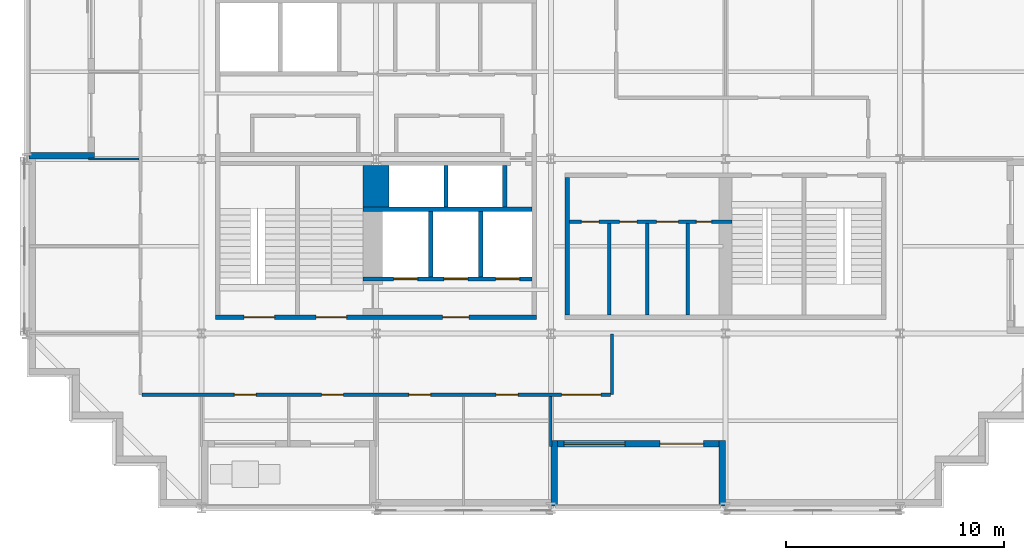
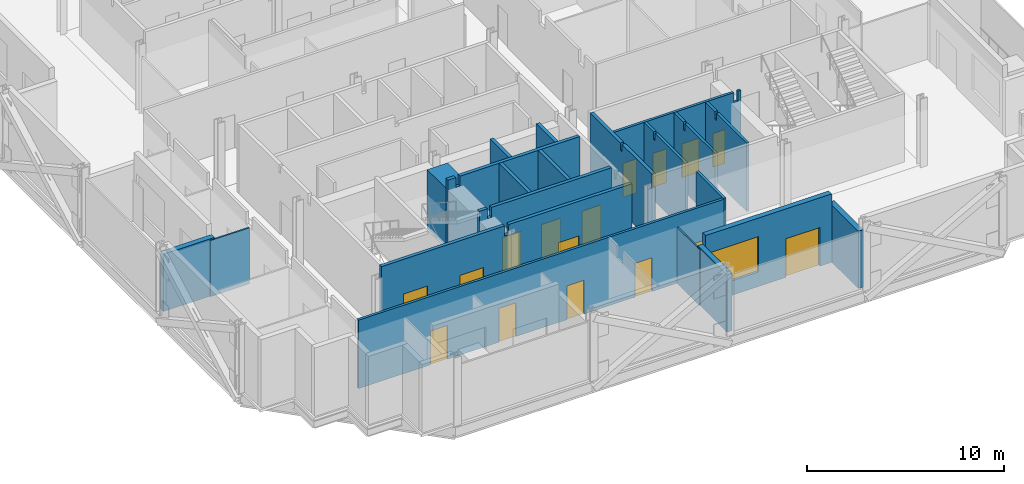
# One storey, part 6 of 15: 21 walls, 16 doors, 1 window, 17 openings.
"""IFC4 building model written with IfcOpenShell, lengths in metres."""

from ifc_helpers import new_model, si_unit, direction, frame, frame_2d, origin, place, context, subcontext, project, spatial, polyline, rectangle, outline, extrude, material, layer, layer_set, type_object, element, fill, save


model = new_model("IFC4")

# Units and contexts
model_context = context("Model", 3, precision=1e-05, world=origin(), true_north=direction((0.0, 1.0)))
body_context = subcontext(model_context, "Body", "Model", "MODEL_VIEW")
ifc_project = project(units=[si_unit("LENGTHUNIT", "METRE"), si_unit("AREAUNIT", "SQUARE_METRE"), si_unit("VOLUMEUNIT", "CUBIC_METRE"), si_unit("PLANEANGLEUNIT", "RADIAN"), si_unit("MASSUNIT", "GRAM", prefix="KILO")], contexts=[model_context])

# Site, building, storey
site_placement = place(None, origin())
site = spatial("IfcSite", under=ifc_project, at=site_placement, CompositionType="ELEMENT")
building_placement = place(site_placement, origin())
building = spatial("IfcBuilding", under=site, at=building_placement, Name="Immortelle Media Tower", CompositionType="ELEMENT")
storey_placement = place(building_placement, frame((0.0, 0.0, 78.800048828125)))
storey = spatial("IfcBuildingStorey", under=building, at=storey_placement, Name="L14", CompositionType="ELEMENT", Elevation=78.800048828125)

# Wall, openings, doors
ifc_material_1 = material(Name="Fire-rated gypsum board", Category="gypsum")
ifc_layer_1 = layer(ifc_material_1, 0.02490234375)
ifc_material_2 = material(Name="Steel ASTM A653 SS Gr 50 stud frame with mineral wool", Category="steel")
ifc_layer_2 = layer(ifc_material_2, 0.10009765625)
ifc_layer_3 = layer(ifc_material_1, 0.02490234375)
ifc_layer_set_1 = layer_set([ifc_layer_1, ifc_layer_2, ifc_layer_3], Name="Steel ASTM A653 SS Gr 50 stud frame with mineral wool")
wall_type_1 = type_object("IfcWallType", Name="Core partition 150", PredefinedType="PARTITIONING", material=ifc_layer_set_1)
wall_1_placement = place(storey_placement, frame((24.85009765625, 13.125, 0.0), z_axis=(0.0, 0.0, 1.0), x_axis=(1.0, 0.0, 0.0)))
wall_1 = element("IfcWall", 1, at=wall_1_placement, inside=storey, type_object=wall_type_1, Name="Core partition SE", PredefinedType="PARTITIONING", context=body_context, shape_type="SweptSolid", body=[
    extrude(outline(polyline([(0.0, 0.0), (7.449951171875, 0.0), (7.449951171875, 4.25), (7.26953125, 4.25), (7.2685546875, 3.6318359375), (7.031494140625, 3.6318359375), (7.030517578125, 4.25), (0.0, 4.25), (0.0, 0.0)])), frame((0.0, 0.074951171875, 0.0), z_axis=(0.0, -1.0, 0.0), x_axis=(1.0, 0.0, 0.0)), (0.0, 0.0, 1.0), 0.14990234375),
])
opening_1_placement = place(wall_1_placement, frame((1.35009765625, 0.0, 0.0), z_axis=(0.0, 0.0, 1.0), x_axis=(-1.0, 0.0, 0.0)))
opening_1 = element("IfcOpeningElement", 2, at=opening_1_placement, cuts=wall_1, Name="Opening N4-K040", PredefinedType="OPENING", context=body_context, shape_type="SweptSolid", body=[
    extrude(rectangle(XDim=0.800048828125, YDim=2.10009765625, at=frame_2d((0.39990234375, 1.050048828125))), frame((0.0, 0.0849609375, 0.0), z_axis=(0.0, -1.0, 0.0), x_axis=(1.0, 0.0, 0.0)), (0.0, 0.0, 1.0), 0.169921875),
])
opening_2_placement = place(wall_1_placement, frame((3.10009765625, 0.0, 0.0), z_axis=(0.0, 0.0, 1.0), x_axis=(-1.0, 0.0, 0.0)))
opening_2 = element("IfcOpeningElement", 3, at=opening_2_placement, cuts=wall_1, Name="Opening N4-K041", PredefinedType="OPENING", context=body_context, shape_type="SweptSolid", body=[
    extrude(rectangle(XDim=0.800048828125, YDim=2.10009765625, at=frame_2d((0.39990234375, 1.050048828125))), frame((0.0, 0.0849609375, 0.0), z_axis=(0.0, -1.0, 0.0), x_axis=(1.0, 0.0, 0.0)), (0.0, 0.0, 1.0), 0.169921875),
])
opening_3_placement = place(wall_1_placement, frame((5.0, 0.0, 0.0), z_axis=(0.0, 0.0, 1.0), x_axis=(-1.0, 0.0, 0.0)))
opening_3 = element("IfcOpeningElement", 4, at=opening_3_placement, cuts=wall_1, Name="Opening N4-K042", PredefinedType="OPENING", context=body_context, shape_type="SweptSolid", body=[
    extrude(rectangle(XDim=1.0, YDim=2.10009765625, at=frame_2d((0.5, 1.050048828125))), frame((0.0, 0.0849609375, 0.0), z_axis=(0.0, -1.0, 0.0), x_axis=(1.0, 0.0, 0.0)), (0.0, 0.0, 1.0), 0.169921875),
])
opening_4_placement = place(wall_1_placement, frame((6.52490234375, 0.0, 0.0), z_axis=(0.0, 0.0, 1.0), x_axis=(-1.0, 0.0, 0.0)))
opening_4 = element("IfcOpeningElement", 5, at=opening_4_placement, cuts=wall_1, Name="Opening N4-K043", PredefinedType="OPENING", context=body_context, shape_type="SweptSolid", body=[
    extrude(rectangle(XDim=0.699951171875, YDim=2.10009765625, at=frame_2d((0.35009765625, 1.050048828125))), frame((0.0, 0.0849609375, 0.0), z_axis=(0.0, -1.0, 0.0), x_axis=(1.0, 0.0, 0.0)), (0.0, 0.0, 1.0), 0.169921875),
])
ifc_material_3 = material(Name="Timber", Category="wood")
door_type_1 = type_object("IfcDoorType", Name="Accessible toilet door 1000 x 2100", OperationType="NOTDEFINED", PredefinedType="NOTDEFINED", material=ifc_material_3)
door_1_placement = place(opening_3_placement, origin())
door_1 = element("IfcDoor", 6, at=door_1_placement, inside=storey, type_object=door_type_1, Name="Accessible toilet N4-K042", OperationType="SINGLE_SWING_LEFT", OverallHeight=2.10009765625, OverallWidth=1.0, PredefinedType="NOTDEFINED", context=body_context, shape_type="SweptSolid", body=[
    extrude(rectangle(XDim=1.0, YDim=2.10009765625, at=frame_2d((0.5, 1.050048828125))), frame((0.0, 0.02490234375, 0.0), z_axis=(0.0, -1.0, 0.0), x_axis=(1.0, 0.0, 0.0)), (0.0, 0.0, 1.0), 0.050048828125),
])
fill(opening_3, door_1)
ifc_material_4 = material(Name="Galvanised steel door leaf and frame ASTM A653", Category="steel")
door_type_2 = type_object("IfcDoorType", Name="Service door 700 x 2100", OperationType="NOTDEFINED", PredefinedType="NOTDEFINED", material=ifc_material_4)
door_2_placement = place(opening_4_placement, origin())
door_2 = element("IfcDoor", 7, at=door_2_placement, inside=storey, type_object=door_type_2, Name="Service N4-K043", OperationType="SINGLE_SWING_RIGHT", OverallHeight=2.10009765625, OverallWidth=0.699951171875, PredefinedType="NOTDEFINED", context=body_context, shape_type="SweptSolid", body=[
    extrude(rectangle(XDim=0.699951171875, YDim=2.10009765625, at=frame_2d((0.35009765625, 1.050048828125))), frame((0.0, 0.02490234375, 0.0), z_axis=(0.0, -1.0, 0.0), x_axis=(1.0, 0.0, 0.0)), (0.0, 0.0, 1.0), 0.050048828125),
])
fill(opening_4, door_2)
door_type_3 = type_object("IfcDoorType", Name="Toilet door 800 x 2100", OperationType="NOTDEFINED", PredefinedType="NOTDEFINED", material=ifc_material_3)
door_3_placement = place(opening_1_placement, origin())
door_3 = element("IfcDoor", 8, at=door_3_placement, inside=storey, type_object=door_type_3, Name="Toilet N4-K040", OperationType="SINGLE_SWING_LEFT", OverallHeight=2.10009765625, OverallWidth=0.800048828125, PredefinedType="NOTDEFINED", context=body_context, shape_type="SweptSolid", body=[
    extrude(rectangle(XDim=0.800048828125, YDim=2.10009765625, at=frame_2d((0.39990234375, 1.050048828125))), frame((0.0, 0.02490234375, 0.0), z_axis=(0.0, -1.0, 0.0), x_axis=(1.0, 0.0, 0.0)), (0.0, 0.0, 1.0), 0.050048828125),
])
fill(opening_1, door_3)
door_4_placement = place(opening_2_placement, origin())
door_4 = element("IfcDoor", 9, at=door_4_placement, inside=storey, type_object=door_type_3, Name="Toilet N4-K041", OperationType="SINGLE_SWING_RIGHT", OverallHeight=2.10009765625, OverallWidth=0.800048828125, PredefinedType="NOTDEFINED", context=body_context, shape_type="SweptSolid", body=[
    extrude(rectangle(XDim=0.800048828125, YDim=2.10009765625, at=frame_2d((0.39990234375, 1.050048828125))), frame((0.0, 0.02490234375, 0.0), z_axis=(0.0, -1.0, 0.0), x_axis=(1.0, 0.0, 0.0)), (0.0, 0.0, 1.0), 0.050048828125),
])
fill(opening_2, door_4)

# Walls
for number, where, z_axis, x_axis, name in (
    (10, (26.675048828125, 8.85009765625, 0.0), (0.0, 0.0, 1.0), (0.0, 1.0, 0.0), "Core partition SE"),
    (11, (28.425048828125, 8.85009765625, 0.0), (0.0, 0.0, 1.0), (0.0, 1.0, 0.0), "Core partition SE"),
    (12, (30.27490234375, 8.85009765625, 0.0), (0.0, 0.0, 1.0), (0.0, 1.0, 0.0), "Core partition SE"),
):
    element("IfcWall", number, at=place(storey_placement, frame(where, z_axis=z_axis, x_axis=x_axis)), inside=storey, type_object=wall_type_1, Name=name, PredefinedType="PARTITIONING", context=body_context, shape_type="SweptSolid", body=[
        extrude(outline(polyline([(0.0, 0.0), (4.199951171875, 0.0), (4.199951171875, 4.25), (3.2314453125, 4.25), (3.23046875, 3.7890625), (3.069580078125, 3.7890625), (3.068603515625, 4.25), (0.0, 4.25), (0.0, 0.0)])), frame((0.0, 0.074951171875, 0.0), z_axis=(0.0, -1.0, 0.0), x_axis=(1.0, 0.0, 0.0)), (0.0, 0.0, 1.0), 0.14990234375),
    ])

# Wall, openings, doors
ifc_layer_4 = layer(ifc_material_1, 0.03759765625)
ifc_layer_5 = layer(ifc_material_2, 0.125)
ifc_layer_6 = layer(ifc_material_1, 0.03759765625)
ifc_layer_set_2 = layer_set([ifc_layer_4, ifc_layer_5, ifc_layer_6], Name="Steel ASTM A653 SS Gr 50 stud frame with mineral wool")
wall_type_2 = type_object("IfcWallType", Name="Core shaft wall 200", PredefinedType="PARTITIONING", material=ifc_layer_set_2)
wall_2_placement = place(storey_placement, frame((15.39990234375, 10.5, 0.0), z_axis=(0.0, 0.0, 1.0), x_axis=(1.0, 0.0, 0.0)))
wall_2 = element("IfcWall", 13, at=wall_2_placement, inside=storey, type_object=wall_type_2, Name="Core shaft wall SW", PredefinedType="PARTITIONING", context=body_context, shape_type="SweptSolid", body=[
    extrude(outline(polyline([(0.0, 0.0), (7.75, 0.0), (7.75, 4.25), (0.719482421875, 4.25), (0.718505859375, 3.6318359375), (0.4814453125, 3.6318359375), (0.48046875, 4.25), (0.0, 4.25), (0.0, 0.0)])), frame((0.0, 0.10009765625, 0.0), z_axis=(0.0, -1.0, 0.0), x_axis=(1.0, 0.0, 0.0)), (0.0, 0.0, 1.0), 0.199951171875),
])
opening_5_placement = place(wall_2_placement, frame((1.39990234375, 0.0, 0.0)))
opening_5 = element("IfcOpeningElement", 14, at=opening_5_placement, cuts=wall_2, Name="Opening LD", PredefinedType="OPENING", context=body_context, shape_type="SweptSolid", body=[
    extrude(rectangle(XDim=1.10009765625, YDim=2.10009765625, at=frame_2d((0.550048828125, 1.050048828125))), frame((0.0, 0.10986328125, 0.0), z_axis=(0.0, -1.0, 0.0), x_axis=(1.0, 0.0, 0.0)), (0.0, 0.0, 1.0), 0.219970703125),
])
opening_6_placement = place(wall_2_placement, frame((3.699951171875, 0.0, 0.0)))
opening_6 = element("IfcOpeningElement", 15, at=opening_6_placement, cuts=wall_2, Name="Opening LD", PredefinedType="OPENING", context=body_context, shape_type="SweptSolid", body=[
    extrude(rectangle(XDim=1.10009765625, YDim=2.10009765625, at=frame_2d((0.550048828125, 1.050048828125))), frame((0.0, 0.10986328125, 0.0), z_axis=(0.0, -1.0, 0.0), x_axis=(1.0, 0.0, 0.0)), (0.0, 0.0, 1.0), 0.219970703125),
])
opening_7_placement = place(wall_2_placement, frame((6.074951171875, 0.0, 0.0)))
opening_7 = element("IfcOpeningElement", 16, at=opening_7_placement, cuts=wall_2, Name="Opening LD", PredefinedType="OPENING", context=body_context, shape_type="SweptSolid", body=[
    extrude(rectangle(XDim=1.10009765625, YDim=2.10009765625, at=frame_2d((0.550048828125, 1.050048828125))), frame((0.0, 0.10986328125, 0.0), z_axis=(0.0, -1.0, 0.0), x_axis=(1.0, 0.0, 0.0)), (0.0, 0.0, 1.0), 0.219970703125),
])
ifc_material_5 = material(Name="Stainless steel AISI 304", Category="steel")
door_type_4 = type_object("IfcDoorType", Name="Landing door 1100 x 2100", OperationType="SLIDING_TO_LEFT", PredefinedType="NOTDEFINED", material=ifc_material_5)
door_5_placement = place(opening_5_placement, origin())
door_5 = element("IfcDoor", 17, at=door_5_placement, inside=storey, type_object=door_type_4, Name="Landing door FF1 L14", OperationType="SLIDING_TO_LEFT", OverallHeight=2.10009765625, OverallWidth=1.10009765625, PredefinedType="NOTDEFINED", context=body_context, shape_type="SweptSolid", body=[
    extrude(rectangle(XDim=1.10009765625, YDim=2.10009765625, at=frame_2d((0.550048828125, 1.050048828125))), frame((0.0, 0.02490234375, 0.0), z_axis=(0.0, -1.0, 0.0), x_axis=(1.0, 0.0, 0.0)), (0.0, 0.0, 1.0), 0.050048828125),
])
fill(opening_5, door_5)
door_6_placement = place(opening_6_placement, origin())
door_6 = element("IfcDoor", 18, at=door_6_placement, inside=storey, type_object=door_type_4, Name="Landing door FF2 L14", OperationType="SLIDING_TO_LEFT", OverallHeight=2.10009765625, OverallWidth=1.10009765625, PredefinedType="NOTDEFINED", context=body_context, shape_type="SweptSolid", body=[
    extrude(rectangle(XDim=1.10009765625, YDim=2.10009765625, at=frame_2d((0.550048828125, 1.050048828125))), frame((0.0, 0.02490234375, 0.0), z_axis=(0.0, -1.0, 0.0), x_axis=(1.0, 0.0, 0.0)), (0.0, 0.0, 1.0), 0.050048828125),
])
fill(opening_6, door_6)
door_7_placement = place(opening_7_placement, origin())
door_7 = element("IfcDoor", 19, at=door_7_placement, inside=storey, type_object=door_type_4, Name="Landing door FF3 L14", OperationType="SLIDING_TO_LEFT", OverallHeight=2.10009765625, OverallWidth=1.10009765625, PredefinedType="NOTDEFINED", context=body_context, shape_type="SweptSolid", body=[
    extrude(rectangle(XDim=1.10009765625, YDim=2.10009765625, at=frame_2d((0.550048828125, 1.050048828125))), frame((0.0, 0.02490234375, 0.0), z_axis=(0.0, -1.0, 0.0), x_axis=(1.0, 0.0, 0.0)), (0.0, 0.0, 1.0), 0.050048828125),
])
fill(opening_7, door_7)

# Walls
wall_3_placement = place(storey_placement, frame((15.39990234375, 13.699951171875, 0.0), z_axis=(0.0, 0.0, 1.0), x_axis=(1.0, 0.0, 0.0)))
element("IfcWall", 20, at=wall_3_placement, inside=storey, type_object=wall_type_2, Name="Core shaft wall SW", PredefinedType="PARTITIONING", context=body_context, shape_type="SweptSolid", body=[
    extrude(outline(polyline([(0.0, 0.0), (7.75, 0.0), (7.75, 4.25), (0.719482421875, 4.25), (0.718505859375, 3.6318359375), (0.4814453125, 3.6318359375), (0.48046875, 4.25), (0.0, 4.25), (0.0, 0.0)])), frame((0.0, 0.10009765625, 0.0), z_axis=(0.0, -1.0, 0.0), x_axis=(1.0, 0.0, 0.0)), (0.0, 0.0, 1.0), 0.199951171875),
])
wall_4_placement = place(storey_placement, frame((18.5, 10.60009765625, 0.0), z_axis=(0.0, 0.0, 1.0), x_axis=(0.0, 1.0, 0.0)))
element("IfcWall", 21, at=wall_4_placement, inside=storey, type_object=wall_type_2, Name="Core shaft wall SW", PredefinedType="PARTITIONING", context=body_context, shape_type="SweptSolid", body=[
    extrude(rectangle(XDim=3.0, YDim=0.199951171875, at=frame_2d((1.5, 0.0))), origin(), (0.0, 0.0, 1.0), 4.25),
])
wall_5_placement = place(storey_placement, frame((19.199951171875, 13.800048828125, 0.0), z_axis=(0.0, 0.0, 1.0), x_axis=(0.0, 1.0, 0.0)))
element("IfcWall", 22, at=wall_5_placement, inside=storey, type_object=wall_type_2, Name="Core shaft wall SW", PredefinedType="PARTITIONING", context=body_context, shape_type="SweptSolid", body=[
    extrude(rectangle(XDim=1.89990234375, YDim=0.199951171875, at=frame_2d((0.949951171875, 0.0))), origin(), (0.0, 0.0, 1.0), 4.25),
])
wall_6_placement = place(storey_placement, frame((20.800048828125, 10.60009765625, 0.0), z_axis=(0.0, 0.0, 1.0), x_axis=(0.0, 1.0, 0.0)))
element("IfcWall", 23, at=wall_6_placement, inside=storey, type_object=wall_type_2, Name="Core shaft wall SW", PredefinedType="PARTITIONING", context=body_context, shape_type="SweptSolid", body=[
    extrude(rectangle(XDim=3.0, YDim=0.199951171875, at=frame_2d((1.5, 0.0))), origin(), (0.0, 0.0, 1.0), 4.25),
])
wall_7_placement = place(storey_placement, frame((21.89990234375, 13.800048828125, 0.0), z_axis=(0.0, 0.0, 1.0), x_axis=(0.0, 1.0, 0.0)))
element("IfcWall", 24, at=wall_7_placement, inside=storey, type_object=wall_type_2, Name="Core shaft wall SW", PredefinedType="PARTITIONING", context=body_context, shape_type="SweptSolid", body=[
    extrude(rectangle(XDim=1.89990234375, YDim=0.199951171875, at=frame_2d((0.949951171875, 0.0))), origin(), (0.0, 0.0, 1.0), 4.25),
])
wall_8_placement = place(storey_placement, frame((24.75, 8.85009765625, 0.0), z_axis=(0.0, 0.0, 1.0), x_axis=(0.0, 1.0, 0.0)))
element("IfcWall", 25, at=wall_8_placement, inside=storey, type_object=wall_type_2, Name="Core shaft wall SE", PredefinedType="PARTITIONING", context=body_context, shape_type="SweptSolid", body=[
    extrude(outline(polyline([(0.0, 0.0), (6.2998046875, 0.0), (6.300048828125, 4.25), (3.2314453125, 4.25), (3.23046875, 3.7890625), (3.069580078125, 3.7890625), (3.068603515625, 4.25), (0.0, 4.25), (0.0, 0.0)])), frame((0.0, 0.10009765625, 0.0), z_axis=(0.0, -1.0, 0.0), x_axis=(1.0, 0.0, 0.0)), (0.0, 0.0, 1.0), 0.199951171875),
])

# Wall, openings, doors
ifc_layer_7 = layer(ifc_material_1, 0.012451171875)
ifc_layer_8 = layer(ifc_material_2, 0.125)
ifc_layer_9 = layer(ifc_material_1, 0.012451171875)
ifc_layer_set_3 = layer_set([ifc_layer_7, ifc_layer_8, ifc_layer_9], Name="Steel ASTM A653 SS Gr 50 stud frame with mineral wool")
wall_type_3 = type_object("IfcWallType", Name="Corridor wall 150", PredefinedType="PARTITIONING", material=ifc_layer_set_3)
wall_9_placement = place(storey_placement, frame((5.27490234375, 5.199951171875, 0.0), z_axis=(0.0, 0.0, 1.0), x_axis=(1.0, 0.0, 0.0)))
wall_9 = element("IfcWall", 26, at=wall_9_placement, inside=storey, type_object=wall_type_3, Name="Partition L14-006", PredefinedType="PARTITIONING", context=body_context, shape_type="SweptSolid", body=[
    extrude(rectangle(XDim=21.4501953125, YDim=0.14990234375, at=frame_2d((10.72509765625, 0.0))), origin(), (0.0, 0.0, 1.0), 4.25),
])
opening_8_placement = place(wall_9_placement, frame((13.22509765625, 0.0, 0.0), z_axis=(0.0, 0.0, 1.0), x_axis=(-1.0, 0.0, 0.0)))
opening_8 = element("IfcOpeningElement", 27, at=opening_8_placement, cuts=wall_9, Name="Opening N4-F001", PredefinedType="OPENING", context=body_context, shape_type="SweptSolid", body=[
    extrude(rectangle(XDim=1.0, YDim=2.10009765625, at=frame_2d((0.5, 1.050048828125))), frame((0.0, 0.0849609375, 0.0), z_axis=(0.0, -1.0, 0.0), x_axis=(1.0, 0.0, 0.0)), (0.0, 0.0, 1.0), 0.169921875),
])
opening_9_placement = place(wall_9_placement, frame((17.22509765625, 0.0, 0.0), z_axis=(0.0, 0.0, 1.0), x_axis=(-1.0, 0.0, 0.0)))
opening_9 = element("IfcOpeningElement", 28, at=opening_9_placement, cuts=wall_9, Name="Opening N4-F002", PredefinedType="OPENING", context=body_context, shape_type="SweptSolid", body=[
    extrude(rectangle(XDim=1.0, YDim=2.10009765625, at=frame_2d((0.5, 1.050048828125))), frame((0.0, 0.0849609375, 0.0), z_axis=(0.0, -1.0, 0.0), x_axis=(1.0, 0.0, 0.0)), (0.0, 0.0, 1.0), 0.169921875),
])
opening_10_placement = place(wall_9_placement, frame((5.22509765625, 0.0, 0.0), z_axis=(0.0, 0.0, 1.0), x_axis=(-1.0, 0.0, 0.0)))
opening_10 = element("IfcOpeningElement", 29, at=opening_10_placement, cuts=wall_9, Name="Opening N4-F003", PredefinedType="OPENING", context=body_context, shape_type="SweptSolid", body=[
    extrude(rectangle(XDim=1.0, YDim=2.10009765625, at=frame_2d((0.5, 1.050048828125))), frame((0.0, 0.0849609375, 0.0), z_axis=(0.0, -1.0, 0.0), x_axis=(1.0, 0.0, 0.0)), (0.0, 0.0, 1.0), 0.169921875),
])
opening_11_placement = place(wall_9_placement, frame((9.22509765625, 0.0, 0.0), z_axis=(0.0, 0.0, 1.0), x_axis=(-1.0, 0.0, 0.0)))
opening_11 = element("IfcOpeningElement", 30, at=opening_11_placement, cuts=wall_9, Name="Opening N4-F004", PredefinedType="OPENING", context=body_context, shape_type="SweptSolid", body=[
    extrude(rectangle(XDim=1.0, YDim=2.10009765625, at=frame_2d((0.5, 1.050048828125))), frame((0.0, 0.0849609375, 0.0), z_axis=(0.0, -1.0, 0.0), x_axis=(1.0, 0.0, 0.0)), (0.0, 0.0, 1.0), 0.169921875),
])
opening_12_placement = place(wall_9_placement, frame((19.22509765625, 0.0, 0.0)))
opening_12 = element("IfcOpeningElement", 31, at=opening_12_placement, cuts=wall_9, Name="Opening N4-F006", PredefinedType="OPENING", context=body_context, shape_type="SweptSolid", body=[
    extrude(rectangle(XDim=1.800048828125, YDim=2.10009765625, at=frame_2d((0.89990234375, 1.050048828125))), frame((0.0, 0.0849609375, 0.0), z_axis=(0.0, -1.0, 0.0), x_axis=(1.0, 0.0, 0.0)), (0.0, 0.0, 1.0), 0.169921875),
])
ifc_material_6 = material(Name="Timber veneered door leaf, galvanised steel frame ASTM A653", Category="steel")
door_type_5 = type_object("IfcDoorType", Name="Room door 1000 x 2100", OperationType="NOTDEFINED", PredefinedType="DOOR", material=ifc_material_6)
door_8_placement = place(opening_8_placement, origin())
door_8 = element("IfcDoor", 32, at=door_8_placement, inside=storey, type_object=door_type_5, Name="Door N4-F001", OperationType="SINGLE_SWING_LEFT", OverallHeight=2.10009765625, OverallWidth=1.0, PredefinedType="DOOR", context=body_context, shape_type="SweptSolid", body=[
    extrude(rectangle(XDim=1.0, YDim=2.10009765625, at=frame_2d((0.5, 1.050048828125))), frame((0.0, 0.02490234375, 0.0), z_axis=(0.0, -1.0, 0.0), x_axis=(1.0, 0.0, 0.0)), (0.0, 0.0, 1.0), 0.050048828125),
])
fill(opening_8, door_8)
door_9_placement = place(opening_9_placement, origin())
door_9 = element("IfcDoor", 33, at=door_9_placement, inside=storey, type_object=door_type_5, Name="Door N4-F002", OperationType="SINGLE_SWING_LEFT", OverallHeight=2.10009765625, OverallWidth=1.0, PredefinedType="DOOR", context=body_context, shape_type="SweptSolid", body=[
    extrude(rectangle(XDim=1.0, YDim=2.10009765625, at=frame_2d((0.5, 1.050048828125))), frame((0.0, 0.02490234375, 0.0), z_axis=(0.0, -1.0, 0.0), x_axis=(1.0, 0.0, 0.0)), (0.0, 0.0, 1.0), 0.050048828125),
])
fill(opening_9, door_9)
door_10_placement = place(opening_10_placement, origin())
door_10 = element("IfcDoor", 34, at=door_10_placement, inside=storey, type_object=door_type_5, Name="Door N4-F003", OperationType="SINGLE_SWING_RIGHT", OverallHeight=2.10009765625, OverallWidth=1.0, PredefinedType="DOOR", context=body_context, shape_type="SweptSolid", body=[
    extrude(rectangle(XDim=1.0, YDim=2.10009765625, at=frame_2d((0.5, 1.050048828125))), frame((0.0, 0.02490234375, 0.0), z_axis=(0.0, -1.0, 0.0), x_axis=(1.0, 0.0, 0.0)), (0.0, 0.0, 1.0), 0.050048828125),
])
fill(opening_10, door_10)
door_11_placement = place(opening_11_placement, origin())
door_11 = element("IfcDoor", 35, at=door_11_placement, inside=storey, type_object=door_type_5, Name="Door N4-F004", OperationType="SINGLE_SWING_RIGHT", OverallHeight=2.10009765625, OverallWidth=1.0, PredefinedType="DOOR", context=body_context, shape_type="SweptSolid", body=[
    extrude(rectangle(XDim=1.0, YDim=2.10009765625, at=frame_2d((0.5, 1.050048828125))), frame((0.0, 0.02490234375, 0.0), z_axis=(0.0, -1.0, 0.0), x_axis=(1.0, 0.0, 0.0)), (0.0, 0.0, 1.0), 0.050048828125),
])
fill(opening_11, door_11)
door_type_6 = type_object("IfcDoorType", Name="Room door 1800 x 2100", OperationType="DOUBLE_DOOR_SINGLE_SWING", PredefinedType="DOOR", material=ifc_material_6)
door_12_placement = place(opening_12_placement, origin())
door_12 = element("IfcDoor", 36, at=door_12_placement, inside=storey, type_object=door_type_6, Name="Door N4-F006", OperationType="DOUBLE_DOOR_SINGLE_SWING", OverallHeight=2.10009765625, OverallWidth=1.800048828125, PredefinedType="DOOR", context=body_context, shape_type="SweptSolid", body=[
    extrude(rectangle(XDim=1.800048828125, YDim=2.10009765625, at=frame_2d((0.89990234375, 1.050048828125))), frame((0.0, 0.02490234375, 0.0), z_axis=(0.0, -1.0, 0.0), x_axis=(1.0, 0.0, 0.0)), (0.0, 0.0, 1.0), 0.050048828125),
])
fill(opening_12, door_12)

# Walls
wall_10_placement = place(storey_placement, frame((26.800048828125, 5.199951171875, 0.0), z_axis=(0.0, 0.0, 1.0), x_axis=(0.0, 1.0, 0.0)))
element("IfcWall", 37, at=wall_10_placement, inside=storey, type_object=wall_type_3, Name="Partition L14-008", PredefinedType="PARTITIONING", context=body_context, shape_type="SweptSolid", body=[
    extrude(rectangle(XDim=2.77001953125, YDim=0.14990234375, at=frame_2d((1.385009765625, 0.0))), origin(), (0.0, 0.0, 1.0), 4.25),
])
ifc_material_7 = material(Name="Pale aluminium cladding panel", Category="aluminium")
ifc_layer_10 = layer(ifc_material_7, 0.030029296875)
ifc_layer_11 = layer(ifc_material_2, 0.257568359375)
ifc_material_8 = material(Name="Moisture-resistant gypsum board", Category="gypsum")
ifc_layer_12 = layer(ifc_material_8, 0.012451171875)
ifc_layer_set_4 = layer_set([ifc_layer_10, ifc_layer_11, ifc_layer_12], Name="Steel ASTM A653 SS Gr 50 stud frame with mineral wool")
wall_type_4 = type_object("IfcWallType", Name="Facade wall 300", PredefinedType="SOLIDWALL", material=ifc_layer_set_4)
wall_11_placement = place(storey_placement, frame((0.10009765625, 16.14990234375, 0.0), z_axis=(0.0, 0.0, 1.0), x_axis=(1.0, 0.0, 0.0)))
element("IfcWall", 38, at=wall_11_placement, inside=storey, type_object=wall_type_4, Name="Loggia cheek wall L14 W", PredefinedType="SOLIDWALL", context=body_context, shape_type="SweptSolid", body=[
    extrude(rectangle(XDim=3.0, YDim=0.300048828125, at=frame_2d((1.5, 0.0))), origin(), (0.0, 0.0, 1.0), 3.555908203125),
])

# Wall, openings, door, window
wall_12_placement = place(storey_placement, frame((24.300048828125, 2.949951171875, 0.0), z_axis=(0.0, 0.0, 1.0), x_axis=(1.0, 0.0, 0.0)))
wall_12 = element("IfcWall", 39, at=wall_12_placement, inside=storey, type_object=wall_type_4, Name="Loggia wall L14 S7", PredefinedType="SOLIDWALL", context=body_context, shape_type="SweptSolid", body=[
    extrude(rectangle(XDim=7.39990234375, YDim=0.300048828125, at=frame_2d((3.699951171875, 0.0))), origin(), (0.0, 0.0, 1.0), 4.25),
])
opening_13_placement = place(wall_12_placement, frame((0.300048828125, 0.0, 0.89990234375)))
opening_13 = element("IfcOpeningElement", 40, at=opening_13_placement, cuts=wall_12, Name="Opening W1", PredefinedType="OPENING", context=body_context, shape_type="SweptSolid", body=[
    extrude(rectangle(XDim=2.800048828125, YDim=2.199951171875, at=frame_2d((1.39990234375, 1.10009765625))), frame((0.0, 0.159912109375, 0.0), z_axis=(0.0, -1.0, 0.0), x_axis=(1.0, 0.0, 0.0)), (0.0, 0.0, 1.0), 0.320068359375),
])
opening_14_placement = place(wall_12_placement, frame((4.699951171875, 0.0, 0.0)))
opening_14 = element("IfcOpeningElement", 41, at=opening_14_placement, cuts=wall_12, Name="Opening N4-E004", PredefinedType="OPENING", context=body_context, shape_type="SweptSolid", body=[
    extrude(rectangle(XDim=2.0, YDim=2.39990234375, at=frame_2d((1.0, 1.199951171875))), frame((0.0, 0.159912109375, 0.0), z_axis=(0.0, -1.0, 0.0), x_axis=(1.0, 0.0, 0.0)), (0.0, 0.0, 1.0), 0.320068359375),
])
ifc_material_9 = material(Name="Aluminium frame, glazed leaves", Category="aluminium")
door_type_7 = type_object("IfcDoorType", Name="Loggia door 2000 x 2400", OperationType="DOUBLE_DOOR_SINGLE_SWING", PredefinedType="DOOR", material=ifc_material_9)
door_13_placement = place(opening_14_placement, origin())
door_13 = element("IfcDoor", 42, at=door_13_placement, inside=storey, type_object=door_type_7, Name="Door N4-E004", OperationType="DOUBLE_DOOR_SINGLE_SWING", OverallHeight=2.39990234375, OverallWidth=2.0, PredefinedType="DOOR", context=body_context, shape_type="SweptSolid", body=[
    extrude(rectangle(XDim=2.0, YDim=2.39990234375, at=frame_2d((1.0, 1.199951171875))), frame((0.0, 0.02490234375, 0.0), z_axis=(0.0, -1.0, 0.0), x_axis=(1.0, 0.0, 0.0)), (0.0, 0.0, 1.0), 0.050048828125),
])
fill(opening_14, door_13)
ifc_material_10 = material(Name="Aluminium frame", Category="aluminium")
window_type = type_object("IfcWindowType", Name="Window 2800 x 2200", PartitioningType="SINGLE_PANEL", PredefinedType="WINDOW", material=ifc_material_10)
window_placement = place(opening_13_placement, origin())
window = element("IfcWindow", 43, at=window_placement, inside=storey, type_object=window_type, Name="Window L14 L14-R7-B2", OverallHeight=2.199951171875, OverallWidth=2.800048828125, PartitioningType="SINGLE_PANEL", PredefinedType="WINDOW", context=body_context, shape_type="SweptSolid", body=[
    extrude(rectangle(XDim=2.800048828125, YDim=2.199951171875, at=frame_2d((1.39990234375, 1.10009765625))), frame((0.0, 0.030029296875, 0.0), z_axis=(0.0, -1.0, 0.0), x_axis=(1.0, 0.0, 0.0)), (0.0, 0.0, 1.0), 0.06005859375),
])
fill(opening_13, window)

# Walls
for number, where, z_axis, x_axis, name in (
    (44, (24.14990234375, 0.10009765625, 0.0), (0.0, 0.0, 1.0), (0.0, 1.0, 0.0), "Loggia cheek wall L14 S"),
    (45, (31.85009765625, 0.10009765625, 0.0), (0.0, 0.0, 1.0), (0.0, 1.0, 0.0), "Loggia cheek wall L14 S"),
):
    element("IfcWall", number, at=place(storey_placement, frame(where, z_axis=z_axis, x_axis=x_axis)), inside=storey, type_object=wall_type_4, Name=name, PredefinedType="SOLIDWALL", context=body_context, shape_type="SweptSolid", body=[
        extrude(rectangle(XDim=3.0, YDim=0.300048828125, at=frame_2d((1.5, 0.0))), origin(), (0.0, 0.0, 1.0), 3.555908203125),
    ])
ifc_material_11 = material(Name="Gypsum board", Category="gypsum")
ifc_layer_13 = layer(ifc_material_11, 0.012451171875)
ifc_layer_14 = layer(ifc_material_2, 0.074951171875)
ifc_layer_15 = layer(ifc_material_11, 0.012451171875)
ifc_layer_set_5 = layer_set([ifc_layer_13, ifc_layer_14, ifc_layer_15], Name="Steel ASTM A653 SS Gr 50 stud frame with mineral wool")
wall_type_5 = type_object("IfcWallType", Name="Partition 100", PredefinedType="PARTITIONING", material=ifc_layer_set_5)
for number, where, z_axis, x_axis, name in (
    (46, (24.0, 2.830078125, 0.0), (0.0, 0.0, 1.0), (0.0, 1.0, 0.0), "Partition L14-005"),
    (47, (2.830078125, 16.0, 0.0), (0.0, 0.0, 1.0), (1.0, 0.0, 0.0), "Partition L14-011"),
):
    element("IfcWall", number, at=place(storey_placement, frame(where, z_axis=z_axis, x_axis=x_axis)), inside=storey, type_object=wall_type_5, Name=name, PredefinedType="PARTITIONING", context=body_context, shape_type="SweptSolid", body=[
        extrude(rectangle(XDim=2.294921875, YDim=0.10009765625, at=frame_2d((1.1474609375, 0.0))), origin(), (0.0, 0.0, 1.0), 3.469970703125),
    ])
ifc_material_12 = material(Name="Concrete C60", Category="concrete")
ifc_layer_16 = layer(ifc_material_12, 1.199951171875)
ifc_layer_set_6 = layer_set([ifc_layer_16], Name="Concrete C60")
wall_type_6 = type_object("IfcWallType", Name="Stair shaft wall 1200", PredefinedType="PARTITIONING", material=ifc_layer_set_6)
wall_13_placement = place(storey_placement, frame((16.0, 13.800048828125, 0.0), z_axis=(0.0, 0.0, 1.0), x_axis=(0.0, 1.0, 0.0)))
element("IfcWall", 48, at=wall_13_placement, inside=storey, type_object=wall_type_6, Name="Stair shaft wall SW", PredefinedType="PARTITIONING", context=body_context, shape_type="SweptSolid", body=[
    extrude(rectangle(XDim=1.89990234375, YDim=1.199951171875, at=frame_2d((0.949951171875, 0.0))), origin(), (0.0, 0.0, 1.0), 3.6318359375),
])

# Wall, openings, doors
ifc_layer_17 = layer(ifc_material_12, 0.199951171875)
ifc_layer_set_7 = layer_set([ifc_layer_17], Name="Concrete C60")
wall_type_7 = type_object("IfcWallType", Name="Stair shaft wall 200", PredefinedType="PARTITIONING", material=ifc_layer_set_7)
wall_14_placement = place(storey_placement, frame((8.64990234375, 8.75, 0.0), z_axis=(0.0, 0.0, 1.0), x_axis=(1.0, 0.0, 0.0)))
wall_14 = element("IfcWall", 49, at=wall_14_placement, inside=storey, type_object=wall_type_7, Name="Stair shaft wall SW", PredefinedType="PARTITIONING", context=body_context, shape_type="SweptSolid", body=[
    extrude(outline(polyline([(0.0, 0.0), (14.7001953125, 0.0), (14.699951171875, 4.25), (7.469482421875, 4.25), (7.468505859375, 3.6318359375), (7.2314453125, 3.6318359375), (7.23046875, 4.25), (0.0, 4.25), (0.0, 0.0)])), frame((0.0, 0.10009765625, 0.0), z_axis=(0.0, -1.0, 0.0), x_axis=(1.0, 0.0, 0.0)), (0.0, 0.0, 1.0), 0.199951171875),
])
opening_15_placement = place(wall_14_placement, frame((1.300048828125, 0.0, 0.0)))
opening_15 = element("IfcOpeningElement", 50, at=opening_15_placement, cuts=wall_14, Name="Opening N4-K002", PredefinedType="OPENING", context=body_context, shape_type="SweptSolid", body=[
    extrude(rectangle(XDim=1.39990234375, YDim=2.10009765625, at=frame_2d((0.699951171875, 1.050048828125))), frame((0.0, 0.10986328125, 0.0), z_axis=(0.0, -1.0, 0.0), x_axis=(1.0, 0.0, 0.0)), (0.0, 0.0, 1.0), 0.219970703125),
])
opening_16_placement = place(wall_14_placement, frame((4.60009765625, 0.0, 0.0)))
opening_16 = element("IfcOpeningElement", 51, at=opening_16_placement, cuts=wall_14, Name="Opening N4-K004", PredefinedType="OPENING", context=body_context, shape_type="SweptSolid", body=[
    extrude(rectangle(XDim=1.39990234375, YDim=2.10009765625, at=frame_2d((0.699951171875, 1.050048828125))), frame((0.0, 0.10986328125, 0.0), z_axis=(0.0, -1.0, 0.0), x_axis=(1.0, 0.0, 0.0)), (0.0, 0.0, 1.0), 0.219970703125),
])
opening_17_placement = place(wall_14_placement, frame((10.39990234375, 0.0, 0.0)))
opening_17 = element("IfcOpeningElement", 52, at=opening_17_placement, cuts=wall_14, Name="Opening N4-K009", PredefinedType="OPENING", context=body_context, shape_type="SweptSolid", body=[
    extrude(rectangle(XDim=1.199951171875, YDim=2.10009765625, at=frame_2d((0.60009765625, 1.050048828125))), frame((0.0, 0.10986328125, 0.0), z_axis=(0.0, -1.0, 0.0), x_axis=(1.0, 0.0, 0.0)), (0.0, 0.0, 1.0), 0.219970703125),
])
door_type_8 = type_object("IfcDoorType", Name="Fire-fighting lobby door 1200 x 2100", OperationType="NOTDEFINED", PredefinedType="NOTDEFINED", material=ifc_material_4)
door_14_placement = place(opening_17_placement, origin())
door_14 = element("IfcDoor", 53, at=door_14_placement, inside=storey, type_object=door_type_8, Name="Fire-fighting lobby N4-K009", OperationType="SINGLE_SWING_LEFT", OverallHeight=2.10009765625, OverallWidth=1.199951171875, PredefinedType="NOTDEFINED", context=body_context, shape_type="SweptSolid", body=[
    extrude(rectangle(XDim=1.199951171875, YDim=2.10009765625, at=frame_2d((0.60009765625, 1.050048828125))), frame((0.0, 0.02490234375, 0.0), z_axis=(0.0, -1.0, 0.0), x_axis=(1.0, 0.0, 0.0)), (0.0, 0.0, 1.0), 0.050048828125),
])
fill(opening_17, door_14)
door_type_9 = type_object("IfcDoorType", Name="Stair door 1400 x 2100", OperationType="DOUBLE_DOOR_SINGLE_SWING", PredefinedType="NOTDEFINED", material=ifc_material_4)
door_15_placement = place(opening_15_placement, origin())
door_15 = element("IfcDoor", 54, at=door_15_placement, inside=storey, type_object=door_type_9, Name="Stair N4-K002", OperationType="DOUBLE_DOOR_SINGLE_SWING", OverallHeight=2.10009765625, OverallWidth=1.39990234375, PredefinedType="NOTDEFINED", context=body_context, shape_type="SweptSolid", body=[
    extrude(rectangle(XDim=1.39990234375, YDim=2.10009765625, at=frame_2d((0.699951171875, 1.050048828125))), frame((0.0, 0.02490234375, 0.0), z_axis=(0.0, -1.0, 0.0), x_axis=(1.0, 0.0, 0.0)), (0.0, 0.0, 1.0), 0.050048828125),
])
fill(opening_15, door_15)
door_16_placement = place(opening_16_placement, origin())
door_16 = element("IfcDoor", 55, at=door_16_placement, inside=storey, type_object=door_type_9, Name="Stair N4-K004", OperationType="DOUBLE_DOOR_SINGLE_SWING", OverallHeight=2.10009765625, OverallWidth=1.39990234375, PredefinedType="NOTDEFINED", context=body_context, shape_type="SweptSolid", body=[
    extrude(rectangle(XDim=1.39990234375, YDim=2.10009765625, at=frame_2d((0.699951171875, 1.050048828125))), frame((0.0, 0.02490234375, 0.0), z_axis=(0.0, -1.0, 0.0), x_axis=(1.0, 0.0, 0.0)), (0.0, 0.0, 1.0), 0.050048828125),
])
fill(opening_16, door_16)

save(model, "model.ifc")
